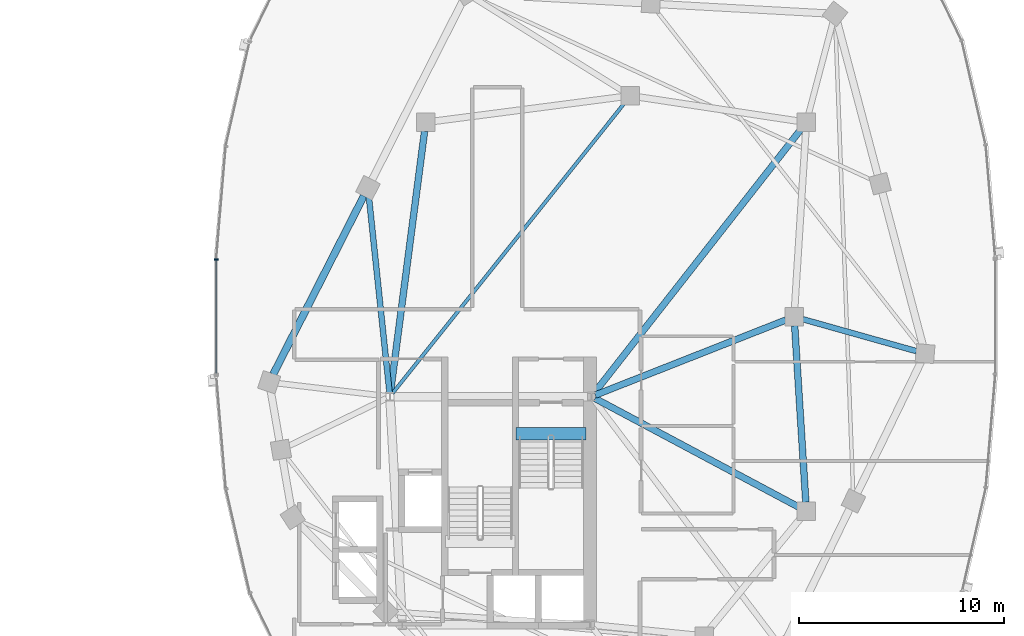
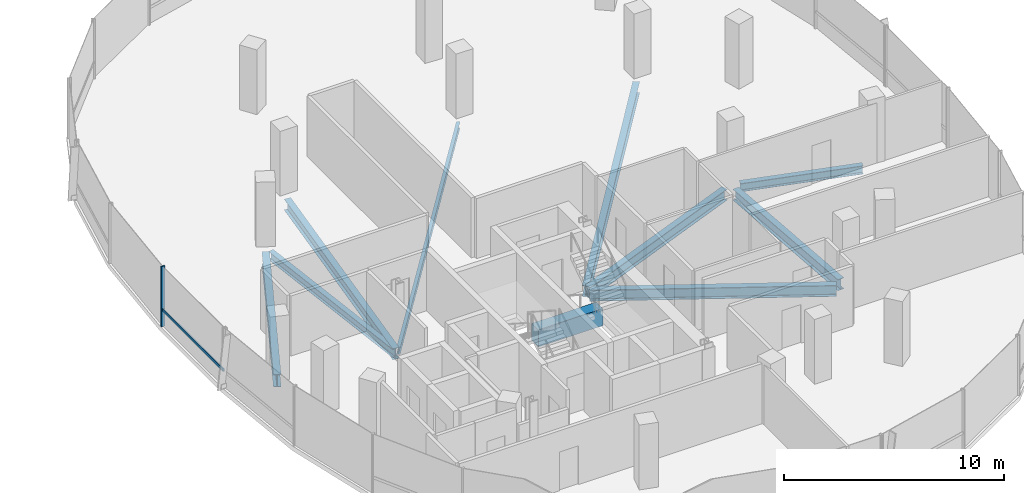
# One storey, part 9 of 25: 10 beams, 2 members, 1 element without a shape of its own.
"""IFC4 building model written with IfcOpenShell, lengths in metres."""

from ifc_helpers import new_model, si_unit, direction, frame, origin, origin_2d, place, context, subcontext, project, spatial, rectangle, i_section, extrude, material, material_profile, profile_set, type_object, element, aggregate, save


model = new_model("IFC4")

# Units and contexts
model_context = context("Model", 3, precision=1e-05, world=origin(), true_north=direction((0.0, 1.0)))
body_context = subcontext(model_context, "Body", "Model", "MODEL_VIEW")
ifc_project = project(units=[si_unit("LENGTHUNIT", "METRE"), si_unit("AREAUNIT", "SQUARE_METRE"), si_unit("VOLUMEUNIT", "CUBIC_METRE"), si_unit("PLANEANGLEUNIT", "RADIAN"), si_unit("MASSUNIT", "GRAM", prefix="KILO"), si_unit("THERMODYNAMICTEMPERATUREUNIT", "KELVIN"), si_unit("POWERUNIT", "WATT")], contexts=[model_context])

# Site, building, storey
site_placement = place(None, origin())
site = spatial("IfcSite", under=ifc_project, at=site_placement, CompositionType="ELEMENT")
building_placement = place(site_placement, origin())
building = spatial("IfcBuilding", under=site, at=building_placement, Name="Cundina Bronze Exchange", CompositionType="ELEMENT")
storey_placement = place(building_placement, frame((0.0, 0.0, 195.39990234375)))
storey = spatial("IfcBuildingStorey", under=building, at=storey_placement, Name="L51", CompositionType="ELEMENT", Elevation=195.39990234375)

# Beams
ifc_material_1 = material(Name="Concrete C60/75", Category="concrete")
ifc_material_profile_1 = material_profile(ifc_material_1, rectangle(XDim=0.60009765625, YDim=0.949951171875, at=origin_2d()), Name="RC600X950", Category="concrete")
ifc_profile_set_1 = profile_set([ifc_material_profile_1], Name="Concrete C60/75")
beam_type_1 = type_object("IfcBeamType", Name="BM-COUP-RC950", PredefinedType="LINTEL", material=ifc_profile_set_1)
beam_1_placement = place(storey_placement, frame((27.6201171875, -5.719970703125, -0.474853515625), z_axis=(1.0, 0.0, 0.0), x_axis=(0.0, 1.0, 0.0)))
element("IfcBeam", 1, at=beam_1_placement, inside=storey, type_object=beam_type_1, Name="L51 Stair E1 Landing Header Beam", PredefinedType="LINTEL", context=body_context, shape_type="SweptSolid", body=[
    extrude(rectangle(XDim=0.60009765625, YDim=0.949951171875, at=origin_2d()), origin(), (0.0, 0.0, 1.0), 3.39990234375),
])
ifc_material_2 = material(Name="Steel ASTM A992 Grade 50", Category="steel")
ifc_material_profile_2 = material_profile(ifc_material_2, i_section(OverallWidth=0.280029296875, OverallDepth=0.462890625, WebThickness=0.0107421875, FlangeThickness=0.017333984375, FilletRadius=0.011962890625, at=origin_2d()), Name="W18X76", Category="steel")
ifc_profile_set_2 = profile_set([ifc_material_profile_2], Name="Steel ASTM A992 Grade 50")
beam_type_2 = type_object("IfcBeamType", Name="BM-FLR-W18A", PredefinedType="BEAM", material=ifc_profile_set_2)
beam_2_placement = place(storey_placement, frame((41.62158203125, -0.11865234375, -0.491455078125), z_axis=(0.96265679604, -0.270724755127, 0.0), x_axis=(0.270724755127, 0.96265679604, 0.0)))
element("IfcBeam", 2, at=beam_2_placement, inside=storey, type_object=beam_type_2, Name="L51 Leg E Chordal Floor Beam 08", PredefinedType="BEAM", context=body_context, shape_type="SweptSolid", body=[
    extrude(i_section(OverallWidth=0.280029296875, OverallDepth=0.462890625, WebThickness=0.0107421875, FlangeThickness=0.017333984375, FilletRadius=0.011962890625, at=origin_2d()), origin(), (0.0, 0.0, 1.0), 5.7724609375),
])
beam_3_placement = place(storey_placement, frame((21.429443359375, -3.705078125, -0.491455078125), z_axis=(-0.104810251666, 0.994492237851, 0.0), x_axis=(-0.994492237851, -0.104810251666, 0.0)))
element("IfcBeam", 3, at=beam_3_placement, inside=storey, type_object=beam_type_2, Name="L51 Leg E Chordal Floor Beam 13", PredefinedType="BEAM", context=body_context, shape_type="SweptSolid", body=[
    extrude(i_section(OverallWidth=0.280029296875, OverallDepth=0.462890625, WebThickness=0.0107421875, FlangeThickness=0.017333984375, FilletRadius=0.011962890625, at=origin_2d()), origin(), (0.0, 0.0, 1.0), 9.62255859375),
])
ifc_material_profile_3 = material_profile(ifc_material_2, i_section(OverallWidth=0.172119140625, OverallDepth=0.35791015625, WebThickness=0.0078125, FlangeThickness=0.01318359375, FilletRadius=0.010009765625, at=origin_2d()), Name="W14X38", Category="steel")
ifc_profile_set_3 = profile_set([ifc_material_profile_3], Name="Steel ASTM A992 Grade 50")
beam_type_3 = type_object("IfcBeamType", Name="BM-JST-W14", PredefinedType="JOIST", material=ifc_profile_set_3)
beam_4_placement = place(storey_placement, frame((21.572509765625, -3.746826171875, -0.43896484375), z_axis=(0.624364266872, 0.781133319129, 0.0), x_axis=(-0.781133319129, 0.624364266872, 0.0)))
element("IfcBeam", 4, at=beam_4_placement, inside=storey, type_object=beam_type_3, Name="L51 E Interior Core-to-Ring Joist 2", PredefinedType="JOIST", context=body_context, shape_type="SweptSolid", body=[
    extrude(i_section(OverallWidth=0.172119140625, OverallDepth=0.35791015625, WebThickness=0.0078125, FlangeThickness=0.01318359375, FilletRadius=0.010009765625, at=origin_2d()), origin(), (0.0, 0.0, 1.0), 18.184814453125),
])
ifc_material_profile_4 = material_profile(ifc_material_2, i_section(OverallWidth=0.324951171875, OverallDepth=0.615966796875, WebThickness=0.013916015625, FlangeThickness=0.021484375, FilletRadius=0.01611328125, at=origin_2d()), Name="W24X117", Category="steel")
ifc_profile_set_4 = profile_set([ifc_material_profile_4], Name="Steel ASTM A992 Grade 50")
beam_type_4 = type_object("IfcBeamType", Name="BM-RING-W24", PredefinedType="USERDEFINED", material=ifc_profile_set_4)
beam_5_placement = place(storey_placement, frame((41.7724609375, -9.06298828125, -0.56787109375), z_axis=(-0.063046519736, 0.998010589297, 0.0), x_axis=(-0.998010589297, -0.063046519736, 0.0)))
element("IfcBeam", 5, at=beam_5_placement, inside=storey, type_object=beam_type_4, Name="L51 E Inner Structural Ring Girder 03", ObjectType="GIRDER", PredefinedType="USERDEFINED", context=body_context, shape_type="SweptSolid", body=[
    extrude(i_section(OverallWidth=0.324951171875, OverallDepth=0.615966796875, WebThickness=0.013916015625, FlangeThickness=0.021484375, FilletRadius=0.01611328125, at=origin_2d()), origin(), (0.0, 0.0, 1.0), 8.64306640625),
])
beam_6_placement = place(storey_placement, frame((23.143310546875, 9.065673828125, -0.56787109375), z_axis=(-0.129501251979, -0.991579258424, 0.0), x_axis=(0.991579258424, -0.129501251979, 0.0)))
element("IfcBeam", 6, at=beam_6_placement, inside=storey, type_object=beam_type_4, Name="L51 E Inner Structural Ring Girder 07", ObjectType="GIRDER", PredefinedType="USERDEFINED", context=body_context, shape_type="SweptSolid", body=[
    extrude(i_section(OverallWidth=0.324951171875, OverallDepth=0.615966796875, WebThickness=0.013916015625, FlangeThickness=0.021484375, FilletRadius=0.01611328125, at=origin_2d()), origin(), (0.0, 0.0, 1.0), 12.8798828125),
])
beam_7_placement = place(storey_placement, frame((31.482421875, -3.828125, -0.56787109375), z_axis=(0.930404106569, 0.366535398673, 0.0), x_axis=(-0.366535398673, 0.930404106569, 0.0)))
element("IfcBeam", 7, at=beam_7_placement, inside=storey, type_object=beam_type_4, Name="L51 E Core-to-Waist Tie Beam 1", ObjectType="GIRDER", PredefinedType="USERDEFINED", context=body_context, shape_type="SweptSolid", body=[
    extrude(i_section(OverallWidth=0.324951171875, OverallDepth=0.615966796875, WebThickness=0.013916015625, FlangeThickness=0.021484375, FilletRadius=0.01611328125, at=origin_2d()), origin(), (0.0, 0.0, 1.0), 10.00634765625),
])
beam_8_placement = place(storey_placement, frame((31.472900390625, -3.9921875, -0.56787109375), z_axis=(0.882350541683, -0.470592734317, 0.0), x_axis=(0.470592734317, 0.882350541683, 0.0)))
element("IfcBeam", 8, at=beam_8_placement, inside=storey, type_object=beam_type_4, Name="L51 E Core-to-Waist Tie Beam 2", ObjectType="GIRDER", PredefinedType="USERDEFINED", context=body_context, shape_type="SweptSolid", body=[
    extrude(i_section(OverallWidth=0.324951171875, OverallDepth=0.615966796875, WebThickness=0.013916015625, FlangeThickness=0.021484375, FilletRadius=0.01611328125, at=origin_2d()), origin(), (0.0, 0.0, 1.0), 11.26611328125),
])
beam_9_placement = place(storey_placement, frame((31.4208984375, -3.74560546875, -0.56787109375), z_axis=(0.616782900053, 0.787133314123, 0.0), x_axis=(-0.787133314123, 0.616782900053, 0.0)))
element("IfcBeam", 9, at=beam_9_placement, inside=storey, type_object=beam_type_4, Name="L51 E Core-to-Waist Tie Beam 3", ObjectType="GIRDER", PredefinedType="USERDEFINED", context=body_context, shape_type="SweptSolid", body=[
    extrude(i_section(OverallWidth=0.324951171875, OverallDepth=0.615966796875, WebThickness=0.013916015625, FlangeThickness=0.021484375, FilletRadius=0.01611328125, at=origin_2d()), origin(), (0.0, 0.0, 1.0), 16.3896484375),
])
ifc_material_profile_5 = material_profile(ifc_material_2, i_section(OverallWidth=0.35498046875, OverallDepth=0.695068359375, WebThickness=0.015380859375, FlangeThickness=0.02490234375, FilletRadius=0.01806640625, at=origin_2d()), Name="W27X146", Category="steel")
ifc_profile_set_5 = profile_set([ifc_material_profile_5], Name="Steel ASTM A992 Grade 50")
beam_type_5 = type_object("IfcBeamType", Name="BM-RING-W27", PredefinedType="USERDEFINED", material=ifc_profile_set_5)
beam_10_placement = place(storey_placement, frame((20.1767578125, 5.909423828125, -0.607421875), z_axis=(-0.452846871434, -0.891588308039, 0.0), x_axis=(0.891588308039, -0.452846871434, 0.0)))
element("IfcBeam", 10, at=beam_10_placement, inside=storey, type_object=beam_type_5, Name="L51 E Perimeter Ring Girder 13", ObjectType="GIRDER", PredefinedType="USERDEFINED", context=body_context, shape_type="SweptSolid", body=[
    extrude(i_section(OverallWidth=0.35498046875, OverallDepth=0.695068359375, WebThickness=0.015380859375, FlangeThickness=0.02490234375, FilletRadius=0.01806640625, at=origin_2d()), origin(), (0.0, 0.0, 1.0), 9.779052734375),
])

# Curtain wall, members
ifc_material_3 = material(Name="Anodised Bronze Aluminium 6063-T6", Category="aluminium")
curtain_wall_type = type_object("IfcCurtainWallType", Name="CWS-UPP-OFF", PredefinedType="NOTDEFINED", material=ifc_material_3)
curtain_wall_placement = place(storey_placement, origin())
curtain_wall = element("IfcCurtainWall", 11, at=curtain_wall_placement, inside=storey, type_object=curtain_wall_type, Name="L51 CW-05 Curtain Wall Run CWR-L51-E2", PredefinedType="NOTDEFINED")
ifc_material_profile_6 = material_profile(ifc_material_3, rectangle(XDim=0.070068359375, YDim=0.18994140625, at=origin_2d()), Name="AL70X190", Category="aluminium")
ifc_profile_set_6 = profile_set([ifc_material_profile_6], Name="Anodised Bronze Aluminium 6063-T6")
member_type_1 = type_object("IfcMemberType", Name="CWM-MUL-190", PredefinedType="MULLION", material=ifc_profile_set_6)
member_1_placement = place(storey_placement, frame((12.966064453125, 2.794921875, 0.0), z_axis=(0.0, 0.0, 1.0), x_axis=(0.0, -1.0, 0.0)))
member_1 = element("IfcMember", 12, at=member_1_placement, type_object=member_type_1, Name="CW-05 Mullion 7", PredefinedType="MULLION", context=body_context, shape_type="SweptSolid", body=[
    extrude(rectangle(XDim=0.070068359375, YDim=0.18994140625, at=origin_2d()), origin(), (0.0, 0.0, 1.0), 3.340087890625),
])
ifc_material_profile_7 = material_profile(ifc_material_3, rectangle(XDim=0.06494140625, YDim=0.14990234375, at=origin_2d()), Name="AL65X150", Category="aluminium")
ifc_profile_set_7 = profile_set([ifc_material_profile_7], Name="Anodised Bronze Aluminium 6063-T6")
member_type_2 = type_object("IfcMemberType", Name="CWM-TRN-150", PredefinedType="USERDEFINED", material=ifc_profile_set_7)
member_2_placement = place(storey_placement, frame((12.966064453125, 2.756591796875, 0.920166015625), z_axis=(0.0, -1.0, 0.0), x_axis=(1.0, 0.0, 0.0)))
member_2 = element("IfcMember", 13, at=member_2_placement, type_object=member_type_2, Name="CW-05 Spandrel Transom 7", ObjectType="TRANSOM", PredefinedType="USERDEFINED", context=body_context, shape_type="SweptSolid", body=[
    extrude(rectangle(XDim=0.06494140625, YDim=0.14990234375, at=origin_2d()), origin(), (0.0, 0.0, 1.0), 5.51318359375),
])
aggregate(curtain_wall, [member_1, member_2])

save(model, "model.ifc")
